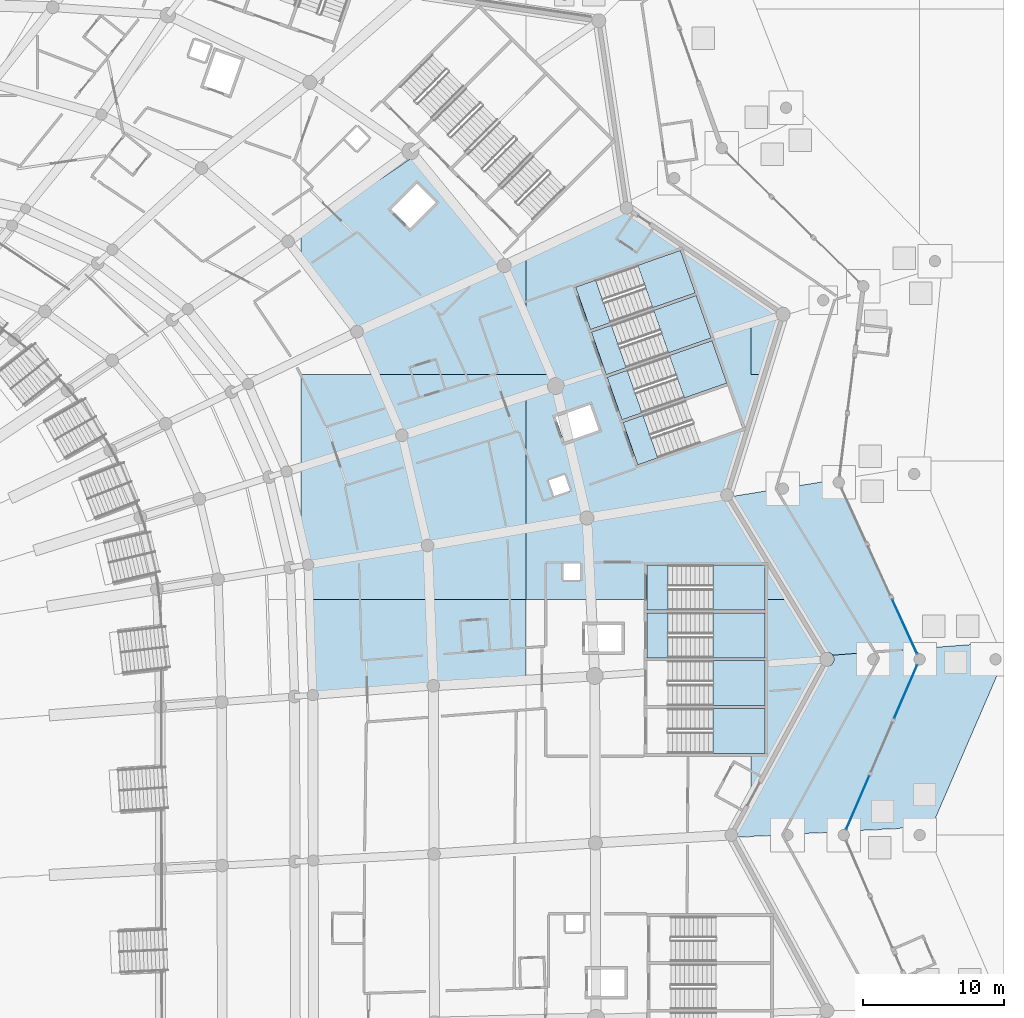
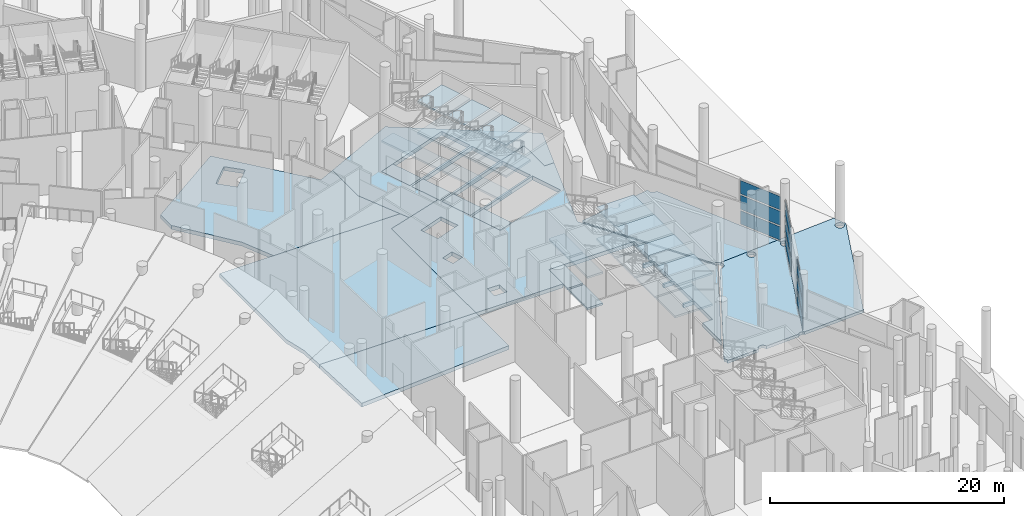
# One storey, part 94 of 255: 35 slabs, 9 plates, 11 elements without a shape of their own.
"""IFC4 building model written with IfcOpenShell, lengths in metres."""

from ifc_helpers import new_model, si_unit, direction, frame, origin, origin_2d, place, context, subcontext, project, spatial, polyline, rectangle, outline, extrude, material, layer, layer_set, type_object, element, aggregate, save


model = new_model("IFC4")

# Units and contexts
model_context = context("Model", 3, precision=1e-05, world=origin(), true_north=direction((0.0, 1.0)))
body_context = subcontext(model_context, "Body", "Model", "MODEL_VIEW")
ifc_project = project(units=[si_unit("LENGTHUNIT", "METRE"), si_unit("AREAUNIT", "SQUARE_METRE"), si_unit("VOLUMEUNIT", "CUBIC_METRE"), si_unit("PLANEANGLEUNIT", "RADIAN"), si_unit("MASSUNIT", "GRAM", prefix="KILO")], contexts=[model_context])

# Site, building, storey
site_placement = place(None, origin())
site = spatial("IfcSite", under=ifc_project, at=site_placement, CompositionType="ELEMENT")
building_placement = place(site_placement, origin())
building = spatial("IfcBuilding", under=site, at=building_placement, Name="Meseta Stadium", CompositionType="ELEMENT")
storey_placement = place(building_placement, origin())
storey = spatial("IfcBuildingStorey", under=building, at=storey_placement, Name="L00", CompositionType="ELEMENT", Elevation=0.0)

# Slabs
ifc_material_1 = material(Name="Concrete C40/50", Category="concrete")
ifc_layer_1 = layer(ifc_material_1, 0.39990234375)
ifc_layer_set_1 = layer_set([ifc_layer_1], Name="Floor slab 400")
slab_type_1 = type_object("IfcSlabType", Name="Floor slab 400", PredefinedType="FLOOR", material=ifc_layer_set_1)
slab_1_placement = place(storey_placement, frame((0.0, 0.0, -0.39990234375)))
element("IfcSlab", 1, at=slab_1_placement, inside=storey, type_object=slab_type_1, Name="Floor slab L00 sector 07 panel 09", PredefinedType="FLOOR", context=body_context, shape_type="SweptSolid", body=[
    extrude(outline(polyline([(64.58935546875, 48.0), (64.829833984375, 41.2041015625), (80.0, 42.368408203125), (80.0, 48.0), (64.58935546875, 48.0)])), origin(), (0.0, 0.0, 1.0), 0.39990234375),
])
slab_2_placement = place(storey_placement, frame((0.0, 0.0, -0.39990234375)))
element("IfcSlab", 2, at=slab_2_placement, inside=storey, type_object=slab_type_1, Name="Floor slab L00 sector 07 panel 10", PredefinedType="FLOOR", context=body_context, shape_type="SweptSolid", body=[
    extrude(outline(polyline([(82.137451171875, 63.115966796875), (82.119873046875, 63.191162109375), (81.772705078125, 64.0), (64.0, 64.0), (64.0, 52.640380859375), (64.501708984375, 50.479736328125), (64.58935546875, 48.0), (80.0, 48.0), (80.0, 62.44580078125), (82.137451171875, 63.115966796875)])), origin(), (0.0, 0.0, 1.0), 0.39990234375),
])
slab_3_placement = place(storey_placement, frame((0.0, 0.0, -0.39990234375)))
element("IfcSlab", 3, at=slab_3_placement, inside=storey, type_object=slab_type_1, Name="Floor slab L00 sector 07 panel 12", PredefinedType="FLOOR", context=body_context, shape_type="SweptSolid", body=[
    extrude(outline(polyline([(80.0, 68.13232421875), (80.0, 72.48828125), (78.4453125, 71.756103515625), (72.06103515625, 79.54052734375), (64.0, 74.098876953125), (64.0, 72.251708984375), (67.972412109375, 67.057861328125), (69.297119140625, 64.0), (81.772705078125, 64.0), (80.0, 68.13232421875)]), holes=[polyline([(71.74609375, 74.402587890625), (70.402587890625, 75.74609375), (72.2412109375, 77.584716796875), (73.584716796875, 76.2412109375), (71.74609375, 74.402587890625)])]), origin(), (0.0, 0.0, 1.0), 0.39990234375),
])
slab_4_placement = place(storey_placement, frame((0.0, 0.0, -0.39990234375)))
element("IfcSlab", 4, at=slab_4_placement, inside=storey, type_object=slab_type_1, Name="Floor slab L00 sector 07 panel 16", PredefinedType="FLOOR", context=body_context, shape_type="SweptSolid", body=[
    extrude(outline(polyline([(82.119873046875, 63.19091796875), (82.137451171875, 63.115966796875), (85.63037109375, 64.211181640625), (84.647705078125, 67.01953125), (92.104248046875, 69.62890625), (93.1611328125, 66.6083984375), (92.1708984375, 66.26171875), (96.0, 67.46240234375), (96.0, 64.0), (96.955078125, 64.0), (98.291015625, 68.297607421875), (87.15087890625, 75.856689453125), (80.0, 72.48828125), (80.0, 68.13232421875), (82.119873046875, 63.19091796875)]), holes=[polyline([(90.981201171875, 72.837890625), (92.0380859375, 69.8173828125), (84.58154296875, 67.208251953125), (83.524658203125, 70.228759765625), (90.981201171875, 72.837890625)])]), origin(), (0.0, 0.0, 1.0), 0.39990234375),
])
slab_5_placement = place(storey_placement, frame((0.0, 0.0, -0.39990234375)))
element("IfcSlab", 5, at=slab_5_placement, inside=storey, type_object=slab_type_1, Name="Floor slab L00 sector 07 panel 17", PredefinedType="FLOOR", context=body_context, shape_type="SweptSolid", body=[
    extrude(outline(polyline([(94.29443359375, 55.44140625), (96.955078125, 64.0), (96.0, 64.0), (96.0, 67.46240234375), (92.1708984375, 66.26171875), (85.70458984375, 63.9990234375), (85.63037109375, 64.211181640625), (80.0, 62.44580078125), (80.0, 48.0), (88.60009765625, 48.0), (88.60009765625, 50.449951171875), (97.0, 50.449951171875), (97.0, 48.0), (98.81689453125, 48.0), (94.29443359375, 55.44140625)]), holes=[polyline([(86.827392578125, 60.789794921875), (85.7705078125, 63.810302734375), (93.227294921875, 66.419677734375), (94.2841796875, 63.399169921875), (86.827392578125, 60.789794921875)]), polyline([(82.723876953125, 59.195068359375), (82.09619140625, 60.988525390625), (84.55029296875, 61.84716796875), (85.177978515625, 60.0537109375), (82.723876953125, 59.195068359375)]), polyline([(82.006103515625, 55.341796875), (81.60986328125, 56.474609375), (82.74267578125, 56.870849609375), (83.138916015625, 55.73828125), (82.006103515625, 55.341796875)]), polyline([(82.64990234375, 50.60009765625), (83.85009765625, 50.60009765625), (83.85009765625, 49.39990234375), (82.64990234375, 49.39990234375), (82.64990234375, 50.60009765625)]), polyline([(86.8935546875, 60.601318359375), (94.35009765625, 63.21044921875), (95.406982421875, 60.18994140625), (87.950439453125, 57.580810546875), (86.8935546875, 60.601318359375)])]), origin(), (0.0, 0.0, 1.0), 0.39990234375),
])
slab_6_placement = place(storey_placement, frame((0.0, 0.0, -0.39990234375)))
element("IfcSlab", 6, at=slab_6_placement, inside=storey, type_object=slab_type_1, Name="Floor slab L00 sector 07 panel 18", PredefinedType="FLOOR", context=body_context, shape_type="SweptSolid", body=[
    extrude(outline(polyline([(96.0, 40.25), (97.0, 40.25), (97.0, 37.050048828125), (96.0, 37.050048828125), (96.0, 33.823486328125), (101.39990234375, 43.75), (98.81689453125, 48.0), (97.0, 48.0), (97.0, 47.25), (96.0, 47.25), (96.0, 47.050048828125), (97.0, 47.050048828125), (97.0, 43.85009765625), (96.0, 43.85009765625), (96.0, 43.64990234375), (97.0, 43.64990234375), (97.0, 40.449951171875), (96.0, 40.449951171875), (96.0, 40.25)])), origin(), (0.0, 0.0, 1.0), 0.39990234375),
])
ifc_material_2 = material(Name="Concrete C40/50", Category="concrete")
ifc_layer_2 = layer(ifc_material_2, 0.300048828125)
ifc_layer_set_2 = layer_set([ifc_layer_2], Name="Passage paving slab 300")
slab_type_2 = type_object("IfcSlabType", Name="Passage paving slab 300", PredefinedType="FLOOR", material=ifc_layer_set_2)
slab_7_placement = place(storey_placement, frame((0.0, 0.0, -0.300048828125)))
element("IfcSlab", 7, at=slab_7_placement, inside=storey, type_object=slab_type_2, Name="Covered passage paving 1 part 1 panel 05", PredefinedType="FLOOR", context=body_context, shape_type="SweptSolid", body=[
    extrude(outline(polyline([(108.861572265625, 31.85546875), (114.0, 43.75), (113.480712890625, 44.938232421875), (107.660888671875, 44.491455078125), (107.83349609375, 44.114013671875), (107.8955078125, 44.1396484375), (108.0, 44.153564453125), (108.1044921875, 44.1396484375), (108.20166015625, 44.099365234375), (108.285400390625, 44.035400390625), (108.349365234375, 43.95166015625), (108.3896484375, 43.8544921875), (108.403564453125, 43.75), (108.3896484375, 43.6455078125), (108.349365234375, 43.54833984375), (108.285400390625, 43.464599609375), (108.20166015625, 43.400634765625), (108.1044921875, 43.3603515625), (108.0, 43.346435546875), (107.8955078125, 43.3603515625), (107.84130859375, 43.3828125), (102.758544921875, 31.6171875), (102.8017578125, 31.599365234375), (102.88525390625, 31.535400390625), (102.890869140625, 31.5283203125), (108.861572265625, 31.85546875)]), holes=[polyline([(113.50439453125, 43.3603515625), (113.39990234375, 43.346435546875), (113.295654296875, 43.3603515625), (113.1982421875, 43.400634765625), (113.11474609375, 43.464599609375), (113.050537109375, 43.54833984375), (113.01025390625, 43.6455078125), (112.99658203125, 43.75), (113.01025390625, 43.8544921875), (113.050537109375, 43.95166015625), (113.11474609375, 44.035400390625), (113.1982421875, 44.099365234375), (113.295654296875, 44.1396484375), (113.39990234375, 44.153564453125), (113.50439453125, 44.1396484375), (113.601806640625, 44.099365234375), (113.685302734375, 44.035400390625), (113.74951171875, 43.95166015625), (113.789794921875, 43.8544921875), (113.803466796875, 43.75), (113.789794921875, 43.6455078125), (113.74951171875, 43.54833984375), (113.685302734375, 43.464599609375), (113.601806640625, 43.400634765625), (113.50439453125, 43.3603515625)])]), origin(), (0.0, 0.0, 1.0), 0.300048828125),
])

# Curtain wall, plates
ifc_material_3 = material(Name="Aluminium", Category="aluminium")
ifc_layer_3 = layer(ifc_material_3, 0.199951171875)
ifc_layer_set_3 = layer_set([ifc_layer_3], Name="Ring shopfront curtain wall")
curtain_wall_type = type_object("IfcCurtainWallType", Name="Ring shopfront curtain wall", PredefinedType="NOTDEFINED", material=ifc_layer_set_3)
curtain_wall_1_placement = place(storey_placement, origin())
curtain_wall_1 = element("IfcCurtainWall", 8, at=curtain_wall_1_placement, inside=storey, type_object=curtain_wall_type, Name="Shopfront glazing F07a", PredefinedType="NOTDEFINED")
ifc_material_4 = material(Name="Glass", Category="glass")
ifc_layer_4 = layer(ifc_material_4, 0.035888671875)
ifc_layer_set_4 = layer_set([ifc_layer_4], Name="Ring CW glass panel 36")
plate_type = type_object("IfcPlateType", Name="Ring CW glass panel 36", PredefinedType="CURTAIN_PANEL", material=ifc_layer_set_4)
plate_1_placement = place(storey_placement, frame((103.593017578125, 33.548828125, 0.150146484375), z_axis=(0.0, 0.0, 1.0), x_axis=(0.396576208678, 0.918001803218, 0.0)))
plate_1 = element("IfcPlate", 9, at=plate_1_placement, type_object=plate_type, Name="CWR1 panel 1.1", PredefinedType="CURTAIN_PANEL", context=body_context, shape_type="SweptSolid", body=[
    extrude(rectangle(XDim=4.08837890625, YDim=0.035888671875, at=origin_2d()), origin(), (0.0, 0.0, 1.0), 1.3916015625),
])
plate_2_placement = place(storey_placement, frame((103.593017578125, 33.548828125, 1.69189453125), z_axis=(0.0, 0.0, 1.0), x_axis=(0.396576208678, 0.918001803218, 0.0)))
plate_2 = element("IfcPlate", 10, at=plate_2_placement, type_object=plate_type, Name="CWR1 panel 1.2", PredefinedType="CURTAIN_PANEL", context=body_context, shape_type="SweptSolid", body=[
    extrude(rectangle(XDim=4.08837890625, YDim=0.035888671875, at=origin_2d()), origin(), (0.0, 0.0, 1.0), 1.466552734375),
])
plate_3_placement = place(storey_placement, frame((103.593017578125, 33.548828125, 3.308349609375), z_axis=(0.0, 0.0, 1.0), x_axis=(0.396576208678, 0.918001803218, 0.0)))
plate_3 = element("IfcPlate", 11, at=plate_3_placement, type_object=plate_type, Name="CWR1 panel 1.3", PredefinedType="CURTAIN_PANEL", context=body_context, shape_type="SweptSolid", body=[
    extrude(rectangle(XDim=4.08837890625, YDim=0.035888671875, at=origin_2d()), origin(), (0.0, 0.0, 1.0), 1.3916015625),
])
aggregate(curtain_wall_1, [plate_1, plate_2, plate_3])

curtain_wall_2_placement = place(storey_placement, origin())
curtain_wall_2 = element("IfcCurtainWall", 12, at=curtain_wall_2_placement, inside=storey, type_object=curtain_wall_type, Name="Shopfront glazing F07b", PredefinedType="NOTDEFINED")
plate_4_placement = place(storey_placement, frame((107.0068359375, 41.451171875, 0.150146484375), z_axis=(0.0, 0.0, 1.0), x_axis=(0.396576208678, 0.918001803218, 0.0)))
plate_4 = element("IfcPlate", 13, at=plate_4_placement, type_object=plate_type, Name="CWR1 panel 1.1", PredefinedType="CURTAIN_PANEL", context=body_context, shape_type="SweptSolid", body=[
    extrude(rectangle(XDim=4.08837890625, YDim=0.035888671875, at=origin_2d()), origin(), (0.0, 0.0, 1.0), 1.3916015625),
])
plate_5_placement = place(storey_placement, frame((107.0068359375, 41.451171875, 1.69189453125), z_axis=(0.0, 0.0, 1.0), x_axis=(0.396576208678, 0.918001803218, 0.0)))
plate_5 = element("IfcPlate", 14, at=plate_5_placement, type_object=plate_type, Name="CWR1 panel 1.2", PredefinedType="CURTAIN_PANEL", context=body_context, shape_type="SweptSolid", body=[
    extrude(rectangle(XDim=4.08837890625, YDim=0.035888671875, at=origin_2d()), origin(), (0.0, 0.0, 1.0), 1.466552734375),
])
plate_6_placement = place(storey_placement, frame((107.0068359375, 41.451171875, 3.308349609375), z_axis=(0.0, 0.0, 1.0), x_axis=(0.396576208678, 0.918001803218, 0.0)))
plate_6 = element("IfcPlate", 15, at=plate_6_placement, type_object=plate_type, Name="CWR1 panel 1.3", PredefinedType="CURTAIN_PANEL", context=body_context, shape_type="SweptSolid", body=[
    extrude(rectangle(XDim=4.08837890625, YDim=0.035888671875, at=origin_2d()), origin(), (0.0, 0.0, 1.0), 1.3916015625),
])
aggregate(curtain_wall_2, [plate_4, plate_5, plate_6])

curtain_wall_3_placement = place(storey_placement, origin())
curtain_wall_3 = element("IfcCurtainWall", 16, at=curtain_wall_3_placement, inside=storey, type_object=curtain_wall_type, Name="Shopfront glazing F08a", PredefinedType="NOTDEFINED")
plate_7_placement = place(storey_placement, frame((106.935302734375, 46.078369140625, 0.150146484375), z_axis=(0.0, 0.0, 1.0), x_axis=(-0.415863140706, 0.909427208853, 0.0)))
plate_7 = element("IfcPlate", 17, at=plate_7_placement, type_object=plate_type, Name="CWR1 panel 1.1", PredefinedType="CURTAIN_PANEL", context=body_context, shape_type="SweptSolid", body=[
    extrude(rectangle(XDim=4.200439453125, YDim=0.035888671875, at=origin_2d()), origin(), (0.0, 0.0, 1.0), 1.3916015625),
])
plate_8_placement = place(storey_placement, frame((106.935302734375, 46.078369140625, 1.69189453125), z_axis=(0.0, 0.0, 1.0), x_axis=(-0.415863140706, 0.909427208853, 0.0)))
plate_8 = element("IfcPlate", 18, at=plate_8_placement, type_object=plate_type, Name="CWR1 panel 1.2", PredefinedType="CURTAIN_PANEL", context=body_context, shape_type="SweptSolid", body=[
    extrude(rectangle(XDim=4.200439453125, YDim=0.035888671875, at=origin_2d()), origin(), (0.0, 0.0, 1.0), 1.466552734375),
])
plate_9_placement = place(storey_placement, frame((106.935302734375, 46.078369140625, 3.308349609375), z_axis=(0.0, 0.0, 1.0), x_axis=(-0.415863140706, 0.909427208853, 0.0)))
plate_9 = element("IfcPlate", 19, at=plate_9_placement, type_object=plate_type, Name="CWR1 panel 1.3", PredefinedType="CURTAIN_PANEL", context=body_context, shape_type="SweptSolid", body=[
    extrude(rectangle(XDim=4.200439453125, YDim=0.035888671875, at=origin_2d()), origin(), (0.0, 0.0, 1.0), 1.3916015625),
])
aggregate(curtain_wall_3, [plate_7, plate_8, plate_9])

# Slabs
ifc_material_5 = material(Name="Concrete C30/37", Category="concrete")
ifc_layer_5 = layer(ifc_material_5, 0.300048828125)
ifc_layer_set_5 = layer_set([ifc_layer_5], Name="Ring grade slab 300")
slab_type_3 = type_object("IfcSlabType", Name="Ring grade slab 300", PredefinedType="BASESLAB", material=ifc_layer_set_5)
slab_8_placement = place(storey_placement, frame((0.0, 0.0, -0.300048828125)))
element("IfcSlab", 20, at=slab_8_placement, inside=storey, type_object=slab_type_3, Name="Ring ground floor slab 1 part 1 panel 04", PredefinedType="BASESLAB", context=body_context, shape_type="SweptSolid", body=[
    extrude(outline(polyline([(101.8408203125, 56.337158203125), (101.8544921875, 56.441650390625), (101.87841796875, 56.49951171875), (98.66064453125, 55.981201171875), (98.672607421875, 55.889404296875), (98.658935546875, 55.784912109375), (98.61865234375, 55.6875), (98.554443359375, 55.60400390625), (98.470947265625, 55.539794921875), (98.373779296875, 55.49951171875), (98.269287109375, 55.48583984375), (98.164794921875, 55.49951171875), (98.0673828125, 55.539794921875), (97.98388671875, 55.60400390625), (97.919921875, 55.6875), (97.879638671875, 55.784912109375), (97.87060546875, 55.85400390625), (94.736083984375, 55.34912109375), (94.73291015625, 55.323974609375), (94.6875, 55.214599609375), (94.64306640625, 55.156494140625), (101.27880859375, 44.23828125), (101.39990234375, 44.25439453125), (101.530517578125, 44.237060546875), (101.652099609375, 44.186767578125), (101.756591796875, 44.106689453125), (101.80615234375, 44.0419921875), (107.660888671875, 44.491455078125), (102.41064453125, 55.97314453125), (102.348388671875, 55.947509765625), (102.244140625, 55.93359375), (102.1396484375, 55.947509765625), (102.04248046875, 55.98779296875), (101.958740234375, 56.052001953125), (101.894775390625, 56.135498046875), (101.8544921875, 56.23291015625), (101.8408203125, 56.337158203125)])), origin(), (0.0, 0.0, 1.0), 0.300048828125),
])
slab_9_placement = place(storey_placement, frame((0.0, 0.0, -0.300048828125)))
element("IfcSlab", 21, at=slab_9_placement, inside=storey, type_object=slab_type_3, Name="Ring ground floor slab 1 part 1 panel 05", PredefinedType="BASESLAB", context=body_context, shape_type="SweptSolid", body=[
    extrude(outline(polyline([(107.714599609375, 44.035400390625), (107.79833984375, 44.099365234375), (107.83349609375, 44.114013671875), (107.660888671875, 44.491455078125), (101.80615234375, 44.0419921875), (101.836669921875, 44.002197265625), (101.88720703125, 43.880615234375), (101.904296875, 43.75), (101.88720703125, 43.619384765625), (101.836669921875, 43.497802734375), (101.756591796875, 43.393310546875), (101.652099609375, 43.313232421875), (101.530517578125, 43.262939453125), (101.39990234375, 43.24560546875), (101.30322265625, 43.25830078125), (94.935302734375, 31.55224609375), (94.9931640625, 31.476806640625), (95.038330078125, 31.367431640625), (95.053955078125, 31.25), (95.038330078125, 31.132568359375), (95.023681640625, 31.0966796875), (98.19921875, 31.27099609375), (98.210205078125, 31.3544921875), (98.25048828125, 31.45166015625), (98.314697265625, 31.535400390625), (98.398193359375, 31.599365234375), (98.49560546875, 31.6396484375), (98.60009765625, 31.653564453125), (98.704345703125, 31.6396484375), (98.8017578125, 31.599365234375), (98.88525390625, 31.535400390625), (98.949462890625, 31.45166015625), (98.98974609375, 31.3544921875), (98.9951171875, 31.314697265625), (102.28369140625, 31.494873046875), (102.314697265625, 31.535400390625), (102.398193359375, 31.599365234375), (102.49560546875, 31.6396484375), (102.60009765625, 31.653564453125), (102.704345703125, 31.6396484375), (102.758544921875, 31.6171875), (107.84130859375, 43.3828125), (107.79833984375, 43.400634765625), (107.714599609375, 43.464599609375), (107.650634765625, 43.54833984375), (107.6103515625, 43.6455078125), (107.596435546875, 43.75), (107.6103515625, 43.8544921875), (107.650634765625, 43.95166015625), (107.714599609375, 44.035400390625)]), holes=[polyline([(104.901611328125, 43.400634765625), (104.804443359375, 43.3603515625), (104.699951171875, 43.346435546875), (104.595703125, 43.3603515625), (104.498291015625, 43.400634765625), (104.414794921875, 43.464599609375), (104.3505859375, 43.54833984375), (104.310302734375, 43.6455078125), (104.29638671875, 43.75), (104.310302734375, 43.8544921875), (104.3505859375, 43.95166015625), (104.414794921875, 44.035400390625), (104.498291015625, 44.099365234375), (104.595703125, 44.1396484375), (104.699951171875, 44.153564453125), (104.804443359375, 44.1396484375), (104.901611328125, 44.099365234375), (104.9853515625, 44.035400390625), (105.04931640625, 43.95166015625), (105.089599609375, 43.8544921875), (105.103515625, 43.75), (105.089599609375, 43.6455078125), (105.04931640625, 43.54833984375), (104.9853515625, 43.464599609375), (104.901611328125, 43.400634765625)])]), origin(), (0.0, 0.0, 1.0), 0.300048828125),
])

# Stair, slabs
ifc_material_6 = material(Name="Concrete C40/50", Category="concrete")
stair_type = type_object("IfcStairType", Name="Exit stair 4 flights 148 mm risers", PredefinedType="HALF_TURN_STAIR", material=ifc_material_6)
stair_1_placement = place(storey_placement, origin())
stair_1 = element("IfcStair", 22, at=stair_1_placement, inside=storey, type_object=stair_type, Name="ST17 L00", PredefinedType="HALF_TURN_STAIR")
ifc_material_7 = material(Name="Concrete C40/50", Category="concrete")
ifc_layer_6 = layer(ifc_material_7, 0.199951171875)
ifc_layer_set_6 = layer_set([ifc_layer_6], Name="Stair landing 200")
slab_type_4 = type_object("IfcSlabType", Name="Stair landing 200", PredefinedType="LANDING", material=ifc_layer_set_6)
slab_10_placement = place(storey_placement, frame((0.0, 0.0, 1.425048828125)))
slab_10 = element("IfcSlab", 23, at=slab_10_placement, type_object=slab_type_4, Name="ST17 L00 landing 1", PredefinedType="LANDING", context=body_context, shape_type="SweptSolid", body=[
    extrude(outline(polyline([(93.2900390625, 37.050048828125), (97.0, 37.050048828125), (97.0, 40.25), (93.2900390625, 40.25), (93.2900390625, 37.050048828125)])), origin(), (0.0, 0.0, 1.0), 0.199951171875),
])
slab_11_placement = place(storey_placement, frame((0.0, 0.0, 4.675048828125)))
slab_11 = element("IfcSlab", 24, at=slab_11_placement, type_object=slab_type_4, Name="ST17 L00 landing 3", PredefinedType="LANDING", context=body_context, shape_type="SweptSolid", body=[
    extrude(outline(polyline([(93.2900390625, 37.050048828125), (97.0, 37.050048828125), (97.0, 40.25), (93.2900390625, 40.25), (93.2900390625, 37.050048828125)])), origin(), (0.0, 0.0, 1.0), 0.199951171875),
])
aggregate(stair_1, [slab_10, slab_11])

stair_2_placement = place(storey_placement, origin())
stair_2 = element("IfcStair", 25, at=stair_2_placement, inside=storey, type_object=stair_type, Name="ST18 L00", PredefinedType="HALF_TURN_STAIR")
slab_12_placement = place(storey_placement, frame((0.0, 0.0, 1.425048828125)))
slab_12 = element("IfcSlab", 26, at=slab_12_placement, type_object=slab_type_4, Name="ST18 L00 landing 1", PredefinedType="LANDING", context=body_context, shape_type="SweptSolid", body=[
    extrude(outline(polyline([(93.2900390625, 40.449951171875), (97.0, 40.449951171875), (97.0, 43.64990234375), (93.2900390625, 43.64990234375), (93.2900390625, 40.449951171875)])), origin(), (0.0, 0.0, 1.0), 0.199951171875),
])
slab_13_placement = place(storey_placement, frame((0.0, 0.0, 4.675048828125)))
slab_13 = element("IfcSlab", 27, at=slab_13_placement, type_object=slab_type_4, Name="ST18 L00 landing 3", PredefinedType="LANDING", context=body_context, shape_type="SweptSolid", body=[
    extrude(outline(polyline([(93.2900390625, 40.449951171875), (97.0, 40.449951171875), (97.0, 43.64990234375), (93.2900390625, 43.64990234375), (93.2900390625, 40.449951171875)])), origin(), (0.0, 0.0, 1.0), 0.199951171875),
])
aggregate(stair_2, [slab_12, slab_13])

stair_3_placement = place(storey_placement, origin())
stair_3 = element("IfcStair", 28, at=stair_3_placement, inside=storey, type_object=stair_type, Name="ST19 L00", PredefinedType="HALF_TURN_STAIR")
slab_14_placement = place(storey_placement, frame((0.0, 0.0, 1.425048828125)))
slab_14 = element("IfcSlab", 29, at=slab_14_placement, type_object=slab_type_4, Name="ST19 L00 landing 1", PredefinedType="LANDING", context=body_context, shape_type="SweptSolid", body=[
    extrude(outline(polyline([(93.2900390625, 43.85009765625), (97.0, 43.85009765625), (97.0, 47.050048828125), (93.2900390625, 47.050048828125), (93.2900390625, 43.85009765625)])), origin(), (0.0, 0.0, 1.0), 0.199951171875),
])
slab_15_placement = place(storey_placement, frame((0.0, 0.0, 3.050048828125)))
slab_15 = element("IfcSlab", 30, at=slab_15_placement, type_object=slab_type_4, Name="ST19 L00 landing 2", PredefinedType="LANDING", context=body_context, shape_type="SweptSolid", body=[
    extrude(outline(polyline([(88.60009765625, 43.85009765625), (90.110107421875, 43.85009765625), (90.110107421875, 47.050048828125), (88.60009765625, 47.050048828125), (88.60009765625, 43.85009765625)])), origin(), (0.0, 0.0, 1.0), 0.199951171875),
])
slab_16_placement = place(storey_placement, frame((0.0, 0.0, 4.675048828125)))
slab_16 = element("IfcSlab", 31, at=slab_16_placement, type_object=slab_type_4, Name="ST19 L00 landing 3", PredefinedType="LANDING", context=body_context, shape_type="SweptSolid", body=[
    extrude(outline(polyline([(93.2900390625, 43.85009765625), (97.0, 43.85009765625), (97.0, 47.050048828125), (93.2900390625, 47.050048828125), (93.2900390625, 43.85009765625)])), origin(), (0.0, 0.0, 1.0), 0.199951171875),
])
slab_17_placement = place(storey_placement, frame((0.0, 0.0, -0.199951171875)))
slab_17 = element("IfcSlab", 32, at=slab_17_placement, type_object=slab_type_4, Name="ST19 L00 landing 4", PredefinedType="LANDING", context=body_context, shape_type="SweptSolid", body=[
    extrude(outline(polyline([(88.60009765625, 43.85009765625), (90.110107421875, 43.85009765625), (90.110107421875, 47.050048828125), (88.60009765625, 47.050048828125), (88.60009765625, 43.85009765625)])), origin(), (0.0, 0.0, 1.0), 0.199951171875),
])
aggregate(stair_3, [slab_14, slab_15, slab_16, slab_17])

stair_4_placement = place(storey_placement, origin())
stair_4 = element("IfcStair", 33, at=stair_4_placement, inside=storey, type_object=stair_type, Name="ST20 L00", PredefinedType="HALF_TURN_STAIR")
slab_18_placement = place(storey_placement, frame((0.0, 0.0, 1.425048828125)))
slab_18 = element("IfcSlab", 34, at=slab_18_placement, type_object=slab_type_4, Name="ST20 L00 landing 1", PredefinedType="LANDING", context=body_context, shape_type="SweptSolid", body=[
    extrude(outline(polyline([(93.2900390625, 47.25), (97.0, 47.25), (97.0, 50.449951171875), (93.2900390625, 50.449951171875), (93.2900390625, 47.25)])), origin(), (0.0, 0.0, 1.0), 0.199951171875),
])
slab_19_placement = place(storey_placement, frame((0.0, 0.0, 3.050048828125)))
slab_19 = element("IfcSlab", 35, at=slab_19_placement, type_object=slab_type_4, Name="ST20 L00 landing 2", PredefinedType="LANDING", context=body_context, shape_type="SweptSolid", body=[
    extrude(outline(polyline([(88.60009765625, 47.25), (90.110107421875, 47.25), (90.110107421875, 50.449951171875), (88.60009765625, 50.449951171875), (88.60009765625, 47.25)])), origin(), (0.0, 0.0, 1.0), 0.199951171875),
])
slab_20_placement = place(storey_placement, frame((0.0, 0.0, 4.675048828125)))
slab_20 = element("IfcSlab", 36, at=slab_20_placement, type_object=slab_type_4, Name="ST20 L00 landing 3", PredefinedType="LANDING", context=body_context, shape_type="SweptSolid", body=[
    extrude(outline(polyline([(93.2900390625, 47.25), (97.0, 47.25), (97.0, 50.449951171875), (93.2900390625, 50.449951171875), (93.2900390625, 47.25)])), origin(), (0.0, 0.0, 1.0), 0.199951171875),
])
slab_21_placement = place(storey_placement, frame((0.0, 0.0, -0.199951171875)))
slab_21 = element("IfcSlab", 37, at=slab_21_placement, type_object=slab_type_4, Name="ST20 L00 landing 4", PredefinedType="LANDING", context=body_context, shape_type="SweptSolid", body=[
    extrude(outline(polyline([(88.60009765625, 47.25), (90.110107421875, 47.25), (90.110107421875, 50.449951171875), (88.60009765625, 50.449951171875), (88.60009765625, 47.25)])), origin(), (0.0, 0.0, 1.0), 0.199951171875),
])
aggregate(stair_4, [slab_18, slab_19, slab_20, slab_21])

stair_5_placement = place(storey_placement, origin())
stair_5 = element("IfcStair", 38, at=stair_5_placement, inside=storey, type_object=stair_type, Name="ST21 L00", PredefinedType="HALF_TURN_STAIR")
slab_22_placement = place(storey_placement, frame((0.0, 0.0, 3.050048828125)))
slab_22 = element("IfcSlab", 39, at=slab_22_placement, type_object=slab_type_4, Name="ST21 L00 landing 2", PredefinedType="LANDING", context=body_context, shape_type="SweptSolid", body=[
    extrude(outline(polyline([(87.950439453125, 57.580810546875), (89.375732421875, 58.079345703125), (88.31884765625, 61.099853515625), (86.8935546875, 60.60107421875), (87.950439453125, 57.580810546875)])), origin(), (0.0, 0.0, 1.0), 0.199951171875),
])
slab_23_placement = place(storey_placement, frame((0.0, 0.0, -0.199951171875)))
slab_23 = element("IfcSlab", 40, at=slab_23_placement, type_object=slab_type_4, Name="ST21 L00 landing 4", PredefinedType="LANDING", context=body_context, shape_type="SweptSolid", body=[
    extrude(outline(polyline([(87.950439453125, 57.580810546875), (89.375732421875, 58.079345703125), (88.31884765625, 61.099853515625), (86.8935546875, 60.60107421875), (87.950439453125, 57.580810546875)])), origin(), (0.0, 0.0, 1.0), 0.199951171875),
])
aggregate(stair_5, [slab_22, slab_23])

stair_6_placement = place(storey_placement, origin())
stair_6 = element("IfcStair", 41, at=stair_6_placement, inside=storey, type_object=stair_type, Name="ST22 L00", PredefinedType="HALF_TURN_STAIR")
slab_24_placement = place(storey_placement, frame((0.0, 0.0, 1.425048828125)))
slab_24 = element("IfcSlab", 42, at=slab_24_placement, type_object=slab_type_4, Name="ST22 L00 landing 1", PredefinedType="LANDING", context=body_context, shape_type="SweptSolid", body=[
    extrude(outline(polyline([(91.254150390625, 62.3388671875), (94.2841796875, 63.399169921875), (93.227294921875, 66.419677734375), (90.197265625, 65.359375), (91.254150390625, 62.3388671875)])), origin(), (0.0, 0.0, 1.0), 0.199951171875),
])
slab_25_placement = place(storey_placement, frame((0.0, 0.0, 3.050048828125)))
slab_25 = element("IfcSlab", 43, at=slab_25_placement, type_object=slab_type_4, Name="ST22 L00 landing 2", PredefinedType="LANDING", context=body_context, shape_type="SweptSolid", body=[
    extrude(outline(polyline([(86.827392578125, 60.7900390625), (88.252685546875, 61.28857421875), (87.19580078125, 64.30908203125), (85.7705078125, 63.810302734375), (86.827392578125, 60.7900390625)])), origin(), (0.0, 0.0, 1.0), 0.199951171875),
])
slab_26_placement = place(storey_placement, frame((0.0, 0.0, 4.675048828125)))
slab_26 = element("IfcSlab", 44, at=slab_26_placement, type_object=slab_type_4, Name="ST22 L00 landing 3", PredefinedType="LANDING", context=body_context, shape_type="SweptSolid", body=[
    extrude(outline(polyline([(91.254150390625, 62.3388671875), (94.2841796875, 63.399169921875), (93.227294921875, 66.419677734375), (90.197265625, 65.359375), (91.254150390625, 62.3388671875)])), origin(), (0.0, 0.0, 1.0), 0.199951171875),
])
slab_27_placement = place(storey_placement, frame((0.0, 0.0, -0.199951171875)))
slab_27 = element("IfcSlab", 45, at=slab_27_placement, type_object=slab_type_4, Name="ST22 L00 landing 4", PredefinedType="LANDING", context=body_context, shape_type="SweptSolid", body=[
    extrude(outline(polyline([(86.827392578125, 60.7900390625), (88.252685546875, 61.28857421875), (87.19580078125, 64.30908203125), (85.7705078125, 63.810302734375), (86.827392578125, 60.7900390625)])), origin(), (0.0, 0.0, 1.0), 0.199951171875),
])
aggregate(stair_6, [slab_24, slab_25, slab_26, slab_27])

stair_7_placement = place(storey_placement, origin())
stair_7 = element("IfcStair", 46, at=stair_7_placement, inside=storey, type_object=stair_type, Name="ST23 L00", PredefinedType="HALF_TURN_STAIR")
slab_28_placement = place(storey_placement, frame((0.0, 0.0, 1.425048828125)))
slab_28 = element("IfcSlab", 47, at=slab_28_placement, type_object=slab_type_4, Name="ST23 L00 landing 1", PredefinedType="LANDING", context=body_context, shape_type="SweptSolid", body=[
    extrude(outline(polyline([(90.13134765625, 65.548095703125), (93.1611328125, 66.6083984375), (92.104248046875, 69.628662109375), (89.074462890625, 68.568603515625), (90.13134765625, 65.548095703125)])), origin(), (0.0, 0.0, 1.0), 0.199951171875),
])
slab_29_placement = place(storey_placement, frame((0.0, 0.0, 3.050048828125)))
slab_29 = element("IfcSlab", 48, at=slab_29_placement, type_object=slab_type_4, Name="ST23 L00 landing 2", PredefinedType="LANDING", context=body_context, shape_type="SweptSolid", body=[
    extrude(outline(polyline([(85.704345703125, 63.9990234375), (87.129638671875, 64.497802734375), (86.07275390625, 67.518310546875), (84.6474609375, 67.01953125), (85.704345703125, 63.9990234375)])), origin(), (0.0, 0.0, 1.0), 0.199951171875),
])
slab_30_placement = place(storey_placement, frame((0.0, 0.0, 4.675048828125)))
slab_30 = element("IfcSlab", 49, at=slab_30_placement, type_object=slab_type_4, Name="ST23 L00 landing 3", PredefinedType="LANDING", context=body_context, shape_type="SweptSolid", body=[
    extrude(outline(polyline([(90.13134765625, 65.548095703125), (93.1611328125, 66.6083984375), (92.104248046875, 69.628662109375), (89.074462890625, 68.568603515625), (90.13134765625, 65.548095703125)])), origin(), (0.0, 0.0, 1.0), 0.199951171875),
])
slab_31_placement = place(storey_placement, frame((0.0, 0.0, -0.199951171875)))
slab_31 = element("IfcSlab", 50, at=slab_31_placement, type_object=slab_type_4, Name="ST23 L00 landing 4", PredefinedType="LANDING", context=body_context, shape_type="SweptSolid", body=[
    extrude(outline(polyline([(85.704345703125, 63.9990234375), (87.129638671875, 64.497802734375), (86.07275390625, 67.518310546875), (84.6474609375, 67.01953125), (85.704345703125, 63.9990234375)])), origin(), (0.0, 0.0, 1.0), 0.199951171875),
])
aggregate(stair_7, [slab_28, slab_29, slab_30, slab_31])

stair_8_placement = place(storey_placement, origin())
stair_8 = element("IfcStair", 51, at=stair_8_placement, inside=storey, type_object=stair_type, Name="ST24 L00", PredefinedType="HALF_TURN_STAIR")
slab_32_placement = place(storey_placement, frame((0.0, 0.0, 1.425048828125)))
slab_32 = element("IfcSlab", 52, at=slab_32_placement, type_object=slab_type_4, Name="ST24 L00 landing 1", PredefinedType="LANDING", context=body_context, shape_type="SweptSolid", body=[
    extrude(outline(polyline([(89.00830078125, 68.75732421875), (92.0380859375, 69.817626953125), (90.981201171875, 72.837890625), (87.951416015625, 71.77783203125), (89.00830078125, 68.75732421875)])), origin(), (0.0, 0.0, 1.0), 0.199951171875),
])
slab_33_placement = place(storey_placement, frame((0.0, 0.0, 3.050048828125)))
slab_33 = element("IfcSlab", 53, at=slab_33_placement, type_object=slab_type_4, Name="ST24 L00 landing 2", PredefinedType="LANDING", context=body_context, shape_type="SweptSolid", body=[
    extrude(outline(polyline([(84.58154296875, 67.208251953125), (86.0068359375, 67.70703125), (84.949951171875, 70.7275390625), (83.524658203125, 70.228759765625), (84.58154296875, 67.208251953125)])), origin(), (0.0, 0.0, 1.0), 0.199951171875),
])
slab_34_placement = place(storey_placement, frame((0.0, 0.0, 4.675048828125)))
slab_34 = element("IfcSlab", 54, at=slab_34_placement, type_object=slab_type_4, Name="ST24 L00 landing 3", PredefinedType="LANDING", context=body_context, shape_type="SweptSolid", body=[
    extrude(outline(polyline([(89.00830078125, 68.75732421875), (92.0380859375, 69.817626953125), (90.981201171875, 72.837890625), (87.951416015625, 71.77783203125), (89.00830078125, 68.75732421875)])), origin(), (0.0, 0.0, 1.0), 0.199951171875),
])
slab_35_placement = place(storey_placement, frame((0.0, 0.0, -0.199951171875)))
slab_35 = element("IfcSlab", 55, at=slab_35_placement, type_object=slab_type_4, Name="ST24 L00 landing 4", PredefinedType="LANDING", context=body_context, shape_type="SweptSolid", body=[
    extrude(outline(polyline([(84.58154296875, 67.208251953125), (86.0068359375, 67.70703125), (84.949951171875, 70.7275390625), (83.524658203125, 70.228759765625), (84.58154296875, 67.208251953125)])), origin(), (0.0, 0.0, 1.0), 0.199951171875),
])
aggregate(stair_8, [slab_32, slab_33, slab_34, slab_35])

save(model, "model.ifc")
